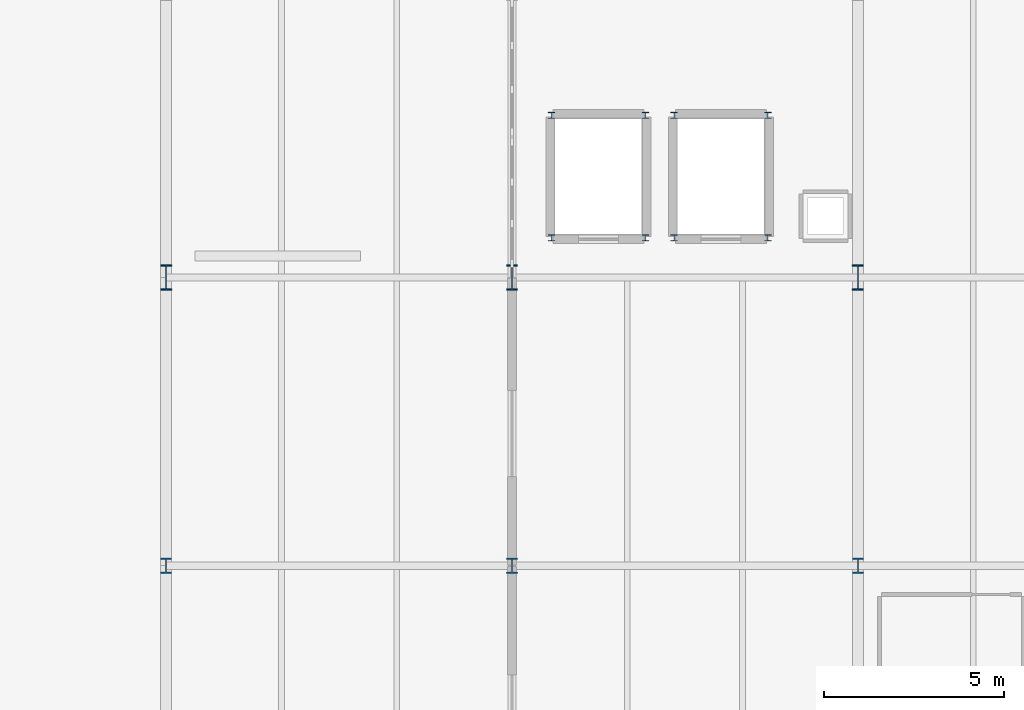
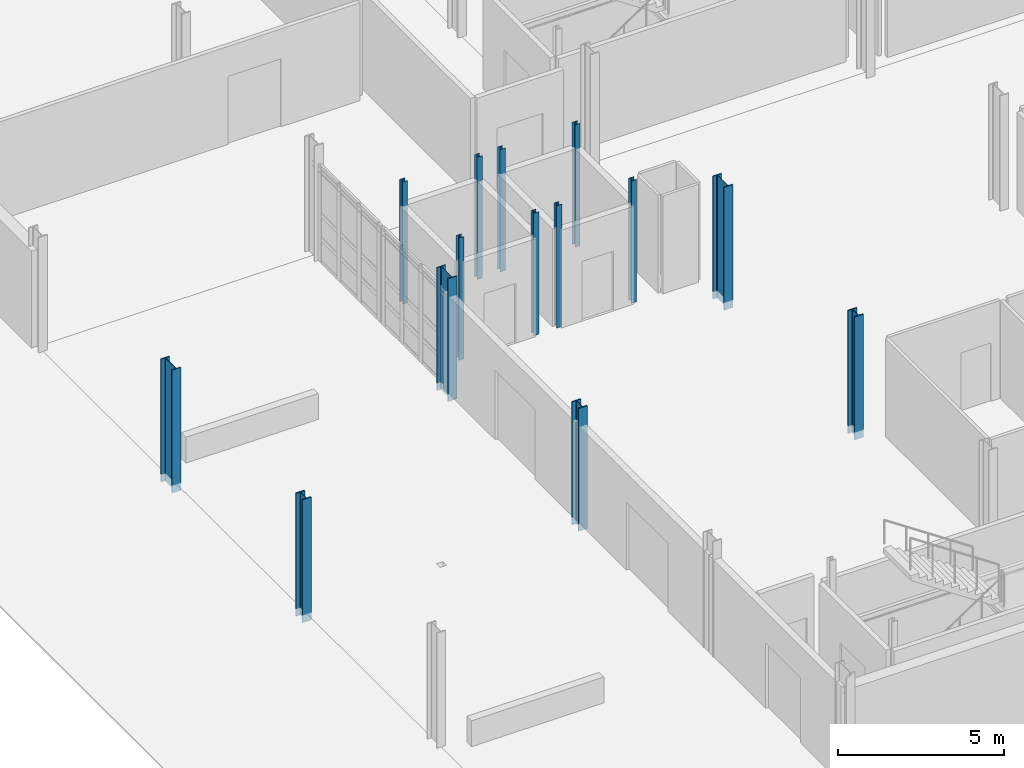
# One storey, part 9 of 78: 14 columns.
"""IFC4 building model written with IfcOpenShell, lengths in metres."""

import ifcopenshell
import ifcopenshell.guid

model = None  # the IFC model being written
_history = None  # IfcOwnerHistory: only IFC2X3 demands one
_inside = {}  # id of a spatial element -> (the spatial element, [elements in it])
_under = {}  # id of a project, library or spatial element -> (it, [spatial elements below it])
_declared = {}  # id of a project -> (the project, [libraries it declares])
_typed = {}  # id of a type object -> (the type object, [elements of that type])
_made_of = {}  # id of a material, layer set ... -> (it, [elements and type objects made of it])


def new_model(schema):
    """Start an empty IFC model of exactly this schema.

    Asked for "IFC4X3", IfcOpenShell would pick the latest addendum, in which some entities
    have other attributes; the version numbers below select the first issue.
    IFC2X3 requires an IfcOwnerHistory on every rooted entity: one is made here for all.
    """
    global model, _history
    if schema == "IFC4X3":
        model = ifcopenshell.file(schema_version=(4, 3, 0, 0))
    else:
        model = ifcopenshell.file(schema=schema)
    _inside.clear()
    _under.clear()
    _declared.clear()
    _typed.clear()
    _made_of.clear()
    _history = None
    if model.schema == "IFC2X3":
        org = make("IfcOrganization", Name="unknown")
        user = make(
            "IfcPersonAndOrganization",
            ThePerson=make("IfcPerson", FamilyName="unknown"),
            TheOrganization=org,
        )
        app = make(
            "IfcApplication",
            ApplicationDeveloper=org,
            Version="unknown",
            ApplicationFullName="unknown",
            ApplicationIdentifier="unknown",
        )
        _history = make(
            "IfcOwnerHistory",
            OwningUser=user,
            OwningApplication=app,
            ChangeAction="ADDED",
            CreationDate=0,
        )
    return model


def make(cls, **values):
    """One entity of the class cls with the attributes given. An attribute that is None is left unset."""
    return model.create_entity(
        cls, **{name: value for name, value in values.items() if value is not None}
    )


def rooted(cls, **values):
    """An entity with a GlobalId (a new one), such as an element, a storey or a relation."""
    return make(cls, GlobalId=ifcopenshell.guid.new(), OwnerHistory=_history, **values)


def si_unit(unit_type, name, prefix=None):
    """IfcSIUnit, for example si_unit("LENGTHUNIT", "METRE", prefix="MILLI")."""
    return make("IfcSIUnit", UnitType=unit_type, Prefix=prefix, Name=name)


def assignment(units):
    """IfcUnitAssignment: the units of a project."""
    return None if units is None else make("IfcUnitAssignment", Units=units)


def point(xyz):
    """IfcCartesianPoint."""
    return None if xyz is None else make("IfcCartesianPoint", Coordinates=xyz)


def direction(xyz):
    """IfcDirection."""
    return None if xyz is None else make("IfcDirection", DirectionRatios=xyz)


def frame(location, z_axis=None, x_axis=None):
    """IfcAxis2Placement3D, a coordinate frame: its origin and axes. An axis left out is left unset."""
    return make(
        "IfcAxis2Placement3D",
        Location=point(location),
        Axis=direction(z_axis),
        RefDirection=direction(x_axis),
    )


def frame_2d(location, x_axis=None):
    """IfcAxis2Placement2D, a coordinate frame in the plane: its origin and x axis."""
    return make(
        "IfcAxis2Placement2D", Location=point(location), RefDirection=direction(x_axis)
    )


def origin():
    """The frame at (0, 0, 0) with its axes left unset."""
    return frame((0.0, 0.0, 0.0))


def origin_2d():
    """The frame at (0, 0) in the plane with its x axis left unset."""
    return frame_2d((0.0, 0.0))


def place(relative_to, where):
    """IfcLocalPlacement: puts the frame where relative to a parent placement (None: the world)."""
    return make(
        "IfcLocalPlacement", PlacementRelTo=relative_to, RelativePlacement=where
    )


def context(
    kind, dimensions, precision=None, world=None, true_north=None, identifier=None
):
    """IfcGeometricRepresentationContext, for example the 3D "Model" context."""
    return make(
        "IfcGeometricRepresentationContext",
        ContextIdentifier=identifier,
        ContextType=kind,
        CoordinateSpaceDimension=dimensions,
        Precision=precision,
        WorldCoordinateSystem=world,
        TrueNorth=true_north,
    )


def subcontext(parent, identifier, kind, view, scale=None):
    """IfcGeometricRepresentationSubContext, for example "Body" below "Model"."""
    return make(
        "IfcGeometricRepresentationSubContext",
        ContextIdentifier=identifier,
        ContextType=kind,
        ParentContext=parent,
        TargetScale=scale,
        TargetView=view,
    )


def project(units=None, contexts=None):
    """IfcProject with its units and contexts."""
    return rooted(
        "IfcProject",
        Name="project",
        RepresentationContexts=contexts,
        UnitsInContext=assignment(units),
    )


def spatial(cls, under=None, at=None, **own):
    """A site, building, storey or space (cls), placed at a placement, below another one or the project."""
    s = rooted(cls, ObjectPlacement=at, **own)
    if under is not None:
        _under.setdefault(under.id(), (under, []))[1].append(s)
    return s


def profile(cls, at=None, kind="AREA", **sizes):
    """A parametric profile (cls). Its sizes go by their IFC names, for example OverallWidth=200.0."""
    return make(cls, ProfileType=kind, Position=at, **sizes)


def i_section(**sizes):
    """IfcIShapeProfileDef."""
    return profile("IfcIShapeProfileDef", **sizes)


def extrude(swept, where, along, depth):
    """IfcExtrudedAreaSolid: the profile swept, set in the frame where, extruded along a direction by depth."""
    return make(
        "IfcExtrudedAreaSolid",
        SweptArea=swept,
        Position=where,
        ExtrudedDirection=direction(along),
        Depth=depth,
    )


def shape(context_of_items, identifier, shape_type, items):
    """IfcShapeRepresentation: the items that make up one representation, for example the "Body"."""
    return make(
        "IfcShapeRepresentation",
        ContextOfItems=context_of_items,
        RepresentationIdentifier=identifier,
        RepresentationType=shape_type,
        Items=items,
    )


def material(Name=None, Category=None):
    """IfcMaterial."""
    return make("IfcMaterial", Name=Name, Category=Category)


def material_profile(
    of_material, cross_section, Name=None, Category=None, Priority=None
):
    """IfcMaterialProfile: a cross section and its material."""
    return make(
        "IfcMaterialProfile",
        Name=Name,
        Material=of_material,
        Profile=cross_section,
        Priority=Priority,
        Category=Category,
    )


def profile_set(profiles, Name=None, composite=None):
    """IfcMaterialProfileSet."""
    return make(
        "IfcMaterialProfileSet",
        Name=Name,
        MaterialProfiles=profiles,
        CompositeProfile=composite,
    )


def made_of(thing, what):
    """Note that an element or type object is made of a material, layer set ...; save() writes the relation."""
    if what is not None:
        _made_of.setdefault(what.id(), (what, []))[1].append(thing)
    return thing


def type_object(cls, material=None, **own):
    """A type object (cls), such as IfcWallType, which elements share."""
    return made_of(rooted(cls, **own), material)


def element(
    cls,
    number,
    at=None,
    inside=None,
    cuts=None,
    type_object=None,
    material=None,
    context=None,
    identifier="Body",
    shape_type=None,
    held_by="IfcProductDefinitionShape",
    body=None,
    shapes=None,
    **own,
):
    """One element of the class cls, such as IfcWall. Its Tag is "e" and its number.

    at: its placement. inside: the storey or other place that contains it. cuts: it is an
    opening in that element (IfcRelVoidsElement). A single representation is given by context,
    identifier, shape_type and body (its items); several are given by shapes. held_by: the class
    of the entity that holds the representations. save() writes the other relations.
    """
    e = rooted(cls, Tag="e%d" % number, ObjectPlacement=at, **own)
    if body is not None:
        shapes = [shape(context, identifier, shape_type, body)]
    if shapes is not None:
        e.Representation = make(held_by, Representations=shapes)
    if inside is not None:
        _inside.setdefault(inside.id(), (inside, []))[1].append(e)
    if cuts is not None:
        rooted(
            "IfcRelVoidsElement", RelatingBuildingElement=cuts, RelatedOpeningElement=e
        )
    if type_object is not None:
        _typed.setdefault(type_object.id(), (type_object, []))[1].append(e)
    return made_of(e, material)


def aggregate(whole, parts):
    """IfcRelAggregates: a whole, such as a stair, and the parts it consists of."""
    return rooted("IfcRelAggregates", RelatingObject=whole, RelatedObjects=parts)


def save(model, path):
    """Write the relations noted so far, then the file.

    IfcRelAggregates (storeys below a building ...), IfcRelContainedInSpatialStructure (elements
    in a storey), IfcRelDefinesByType, IfcRelAssociatesMaterial and IfcRelDeclares: one each for
    every whole, place, type object, material and project.
    """
    for whole, parts in _under.values():
        aggregate(whole, parts)
    for where, things in _inside.values():
        rooted(
            "IfcRelContainedInSpatialStructure",
            RelatedElements=things,
            RelatingStructure=where,
        )
    for kind, things in _typed.values():
        rooted("IfcRelDefinesByType", RelatedObjects=things, RelatingType=kind)
    for what, things in _made_of.values():
        rooted("IfcRelAssociatesMaterial", RelatedObjects=things, RelatingMaterial=what)
    for by, libraries in _declared.values():
        rooted("IfcRelDeclares", RelatingContext=by, RelatedDefinitions=libraries)
    model.write(path)


model = new_model("IFC4")

# Units and contexts
model_context = context("Model", 3, precision=1e-05, world=origin(), true_north=direction((0.0, 1.0)))
body_context = subcontext(model_context, "Body", "Model", "MODEL_VIEW")
ifc_project = project(units=[si_unit("LENGTHUNIT", "METRE"), si_unit("AREAUNIT", "SQUARE_METRE"), si_unit("VOLUMEUNIT", "CUBIC_METRE"), si_unit("PLANEANGLEUNIT", "RADIAN"), si_unit("MASSUNIT", "GRAM", prefix="KILO")], contexts=[model_context])

# Site, building, storey
site_placement = place(None, origin())
site = spatial("IfcSite", under=ifc_project, at=site_placement, CompositionType="ELEMENT")
building_placement = place(site_placement, origin())
building = spatial("IfcBuilding", under=site, at=building_placement, Name="Alderhovde Museum", CompositionType="ELEMENT")
storey_placement = place(building_placement, origin())
storey = spatial("IfcBuildingStorey", under=building, at=storey_placement, Name="L00", CompositionType="ELEMENT", Elevation=0.0)

# Columns
ifc_material_1 = material(Name="Steel S355J2", Category="steel")
ifc_material_profile_1 = material_profile(ifc_material_1, i_section(OverallWidth=0.179931640625, OverallDepth=0.1708984375, WebThickness=0.006103515625, FlangeThickness=0.009521484375, FilletRadius=0.014892578125, at=origin_2d()), Name="HEA 180")
ifc_profile_set_1 = profile_set([ifc_material_profile_1], Name="Steel S355J2")
column_type_1 = type_object("IfcColumnType", Name="COL-HEA180", PredefinedType="COLUMN", material=ifc_profile_set_1)
for number, where, z_axis, x_axis, name in (
    (1, (20.300048828125, 73.10009765625, 0.0), (0.0, 0.0, 1.0), (1.0, 0.0, 0.0), "L00 Lift PL-01 Shaft Column 1"),
    (2, (22.89990234375, 73.10009765625, 0.0), (0.0, 0.0, 1.0), (1.0, 0.0, 0.0), "L00 Lift PL-01 Shaft Column 2"),
    (3, (22.89990234375, 76.5, 0.0), (0.0, 0.0, 1.0), (1.0, 0.0, 0.0), "L00 Lift PL-01 Shaft Column 3"),
    (4, (20.300048828125, 76.5, 0.0), (0.0, 0.0, 1.0), (1.0, 0.0, 0.0), "L00 Lift PL-01 Shaft Column 4"),
    (5, (23.699951171875, 73.10009765625, 0.0), (0.0, 0.0, 1.0), (1.0, 0.0, 0.0), "L00 Lift PL-02 Shaft Column 1"),
    (6, (26.300048828125, 73.10009765625, 0.0), (0.0, 0.0, 1.0), (1.0, 0.0, 0.0), "L00 Lift PL-02 Shaft Column 2"),
    (7, (26.300048828125, 76.5, 0.0), (0.0, 0.0, 1.0), (1.0, 0.0, 0.0), "L00 Lift PL-02 Shaft Column 3"),
    (8, (23.699951171875, 76.5, 0.0), (0.0, 0.0, 1.0), (1.0, 0.0, 0.0), "L00 Lift PL-02 Shaft Column 4"),
):
    element("IfcColumn", number, at=place(storey_placement, frame(where, z_axis=z_axis, x_axis=x_axis)), inside=storey, type_object=column_type_1, Name=name, PredefinedType="COLUMN", context=body_context, shape_type="SweptSolid", body=[
        extrude(i_section(OverallWidth=0.179931640625, OverallDepth=0.1708984375, WebThickness=0.006103515625, FlangeThickness=0.009521484375, FilletRadius=0.014892578125, at=origin_2d()), origin(), (0.0, 0.0, 1.0), 4.5),
    ])
ifc_material_2 = material(Name="Steel S355J2", Category="steel")
ifc_material_profile_2 = material_profile(ifc_material_2, i_section(OverallWidth=0.300048828125, OverallDepth=0.699951171875, WebThickness=0.01708984375, FlangeThickness=0.031982421875, FilletRadius=0.027099609375, at=origin_2d()), Name="HEB 700")
ifc_profile_set_2 = profile_set([ifc_material_profile_2], Name="Steel S355J2")
column_type_2 = type_object("IfcColumnType", Name="COL-HEB700", PredefinedType="COLUMN", material=ifc_profile_set_2)
for number, where, z_axis, x_axis, name in (
    (9, (9.60009765625, 72.0, -0.280029296875), (0.0, 0.0, 1.0), (1.0, 0.0, 0.0), "L00 Column (9.6, 72.0)"),
    (10, (19.199951171875, 72.0, -0.280029296875), (0.0, 0.0, 1.0), (1.0, 0.0, 0.0), "L00 Column (19.2, 72.0)"),
    (11, (28.800048828125, 72.0, -0.280029296875), (0.0, 0.0, 1.0), (1.0, 0.0, 0.0), "L00 Column (28.8, 72.0)"),
):
    element("IfcColumn", number, at=place(storey_placement, frame(where, z_axis=z_axis, x_axis=x_axis)), inside=storey, type_object=column_type_2, Name=name, PredefinedType="COLUMN", context=body_context, shape_type="SweptSolid", body=[
        extrude(i_section(OverallWidth=0.300048828125, OverallDepth=0.699951171875, WebThickness=0.01708984375, FlangeThickness=0.031982421875, FilletRadius=0.027099609375, at=origin_2d()), origin(), (0.0, 0.0, 1.0), 4.52001953125),
    ])
ifc_material_3 = material(Name="Steel S355J2", Category="steel")
ifc_material_profile_3 = material_profile(ifc_material_3, i_section(OverallWidth=0.306884765625, OverallDepth=0.431884765625, WebThickness=0.02099609375, FlangeThickness=0.0400390625, FilletRadius=0.027099609375, at=origin_2d()), Name="HEM 400")
ifc_profile_set_3 = profile_set([ifc_material_profile_3], Name="Steel S355J2")
column_type_3 = type_object("IfcColumnType", Name="COL-HEM400", PredefinedType="COLUMN", material=ifc_profile_set_3)
for number, where, z_axis, x_axis, name in (
    (12, (9.60009765625, 64.0, -0.280029296875), (0.0, 0.0, 1.0), (1.0, 0.0, 0.0), "L00 Column (9.6, 64.0)"),
    (13, (19.199951171875, 64.0, -0.280029296875), (0.0, 0.0, 1.0), (1.0, 0.0, 0.0), "L00 Column (19.2, 64.0)"),
    (14, (28.800048828125, 64.0, -0.280029296875), (0.0, 0.0, 1.0), (1.0, 0.0, 0.0), "L00 Column (28.8, 64.0)"),
):
    element("IfcColumn", number, at=place(storey_placement, frame(where, z_axis=z_axis, x_axis=x_axis)), inside=storey, type_object=column_type_3, Name=name, PredefinedType="COLUMN", context=body_context, shape_type="SweptSolid", body=[
        extrude(i_section(OverallWidth=0.306884765625, OverallDepth=0.431884765625, WebThickness=0.02099609375, FlangeThickness=0.0400390625, FilletRadius=0.027099609375, at=origin_2d()), origin(), (0.0, 0.0, 1.0), 4.52001953125),
    ])

save(model, "model.ifc")
